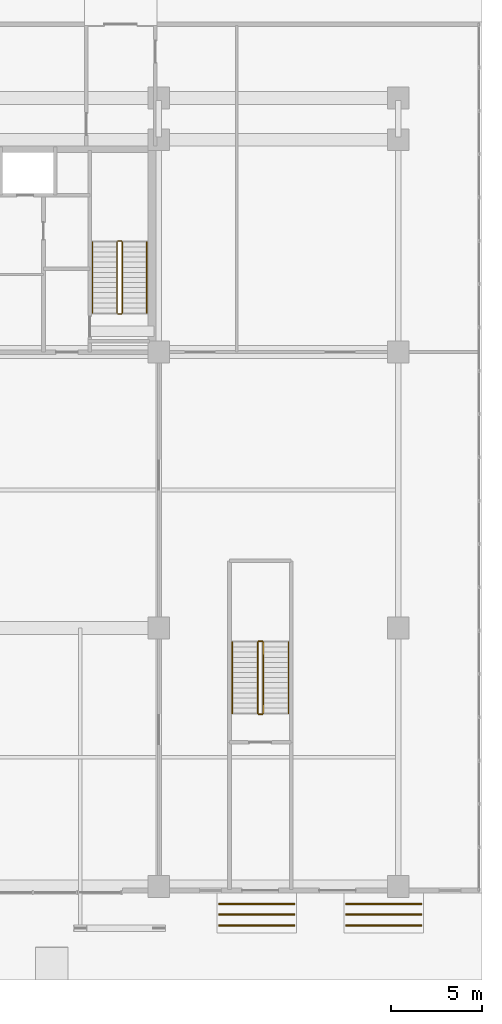
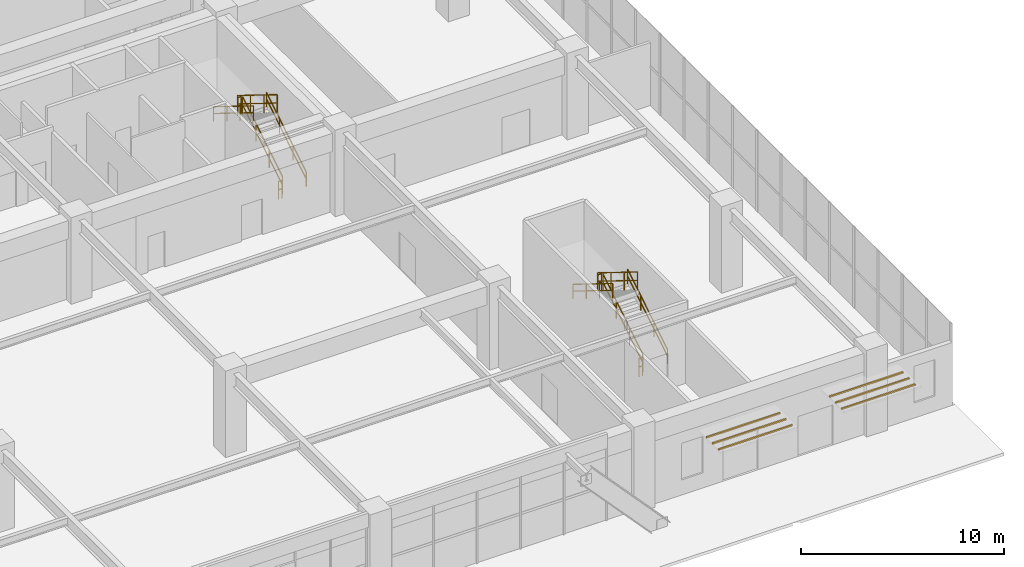
# One storey, part 39 of 40: 12 railings, 6 shading devices.
"""IFC4 building model written with IfcOpenShell, lengths in metres."""

from ifc_helpers import new_model, si_unit, direction, frame, origin, origin_2d, place, context, subcontext, project, spatial, rectangle, extrude, source, transform, mapped, material, layer, layer_set, type_object, element, save


model = new_model("IFC4")

# Units and contexts
model_context = context("Model", 3, precision=1e-05, world=origin(), true_north=direction((0.0, 1.0)))
body_context = subcontext(model_context, "Body", "Model", "MODEL_VIEW")
ifc_project = project(units=[si_unit("LENGTHUNIT", "METRE"), si_unit("AREAUNIT", "SQUARE_METRE"), si_unit("VOLUMEUNIT", "CUBIC_METRE"), si_unit("PLANEANGLEUNIT", "RADIAN"), si_unit("MASSUNIT", "GRAM", prefix="KILO")], contexts=[model_context])

# Site, building, storey
site_placement = place(None, origin())
site = spatial("IfcSite", under=ifc_project, at=site_placement, CompositionType="ELEMENT")
building_placement = place(site_placement, origin())
building = spatial("IfcBuilding", under=site, at=building_placement, Name="Trelvane Seafront Commons", CompositionType="ELEMENT")
storey_placement = place(building_placement, origin())
storey = spatial("IfcBuildingStorey", under=building, at=storey_placement, Name="L00", CompositionType="ELEMENT", Elevation=0.0)

# Railings
ifc_material_1 = material(Name="Stainless steel balustrade", Category="steel")
railing_type_1 = type_object("IfcRailingType", Name="ARCH-SRL-GUARD", PredefinedType="GUARDRAIL", material=ifc_material_1)
railing_1_placement = place(storey_placement, frame((56.800048828125, 35.550048828125, 0.17333984375)))
element("IfcRailing", 1, at=railing_1_placement, inside=storey, type_object=railing_type_1, Name="L00 ST-2 stair guard 1", PredefinedType="GUARDRAIL", context=body_context, shape_type="SweptSolid", body=[
    extrude(rectangle(XDim=0.048095703125, YDim=0.048095703125, at=origin_2d()), frame((0.0, 0.0, 1.076171875), z_axis=(0.0, 0.850251603719, 0.526376491091), x_axis=(-1.0, 0.0, 0.0)), (0.0, 0.0, 1.0), 4.6103515625),
    extrude(rectangle(XDim=0.048095703125, YDim=0.048095703125, at=origin_2d()), frame((0.0, 0.0, 0.572021484375), z_axis=(0.0, 0.850251603719, 0.526376491091), x_axis=(-1.0, 0.0, 0.0)), (0.0, 0.0, 1.0), 4.6103515625),
    extrude(rectangle(XDim=0.0419921875, YDim=0.0419921875, at=origin_2d()), origin(), (0.0, 0.0, 1.0), 1.076171875),
    extrude(rectangle(XDim=0.0419921875, YDim=0.0419921875, at=origin_2d()), frame((0.0, 1.306640625, 0.808837890625)), (0.0, 0.0, 1.0), 1.076171875),
    extrude(rectangle(XDim=0.0419921875, YDim=0.0419921875, at=origin_2d()), frame((0.0, 2.61328125, 1.617919921875)), (0.0, 0.0, 1.0), 1.076171875),
    extrude(rectangle(XDim=0.0419921875, YDim=0.0419921875, at=origin_2d()), frame((0.0, 3.919921875, 2.4267578125)), (0.0, 0.0, 1.0), 1.076171875),
])
railing_2_placement = place(storey_placement, frame((56.75, 39.52001953125, 2.60009765625)))
element("IfcRailing", 2, at=railing_2_placement, inside=storey, type_object=railing_type_1, Name="L00 ST-2 stair guard 2", PredefinedType="GUARDRAIL", context=body_context, shape_type="SweptSolid", body=[
    extrude(rectangle(XDim=0.048095703125, YDim=0.048095703125, at=origin_2d()), frame((0.0, 0.0, 1.076171875), z_axis=(-1.0, 0.0, 0.0), x_axis=(0.0, -1.0, 0.0)), (0.0, 0.0, 1.0), 0.199951171875),
    extrude(rectangle(XDim=0.048095703125, YDim=0.048095703125, at=origin_2d()), frame((0.0, 0.0, 0.572021484375), z_axis=(-1.0, 0.0, 0.0), x_axis=(0.0, -1.0, 0.0)), (0.0, 0.0, 1.0), 0.199951171875),
    extrude(rectangle(XDim=0.0419921875, YDim=0.0419921875, at=origin_2d()), origin(), (0.0, 0.0, 1.0), 1.076171875),
    extrude(rectangle(XDim=0.0419921875, YDim=0.0419921875, at=origin_2d()), frame((-0.199951171875, 0.0, 0.0)), (0.0, 0.0, 1.0), 1.076171875),
])
railing_3_placement = place(storey_placement, frame((56.5, 39.469970703125, 2.7734375)))
element("IfcRailing", 3, at=railing_3_placement, inside=storey, type_object=railing_type_1, Name="L00 ST-2 stair guard 3", PredefinedType="GUARDRAIL", context=body_context, shape_type="SweptSolid", body=[
    extrude(rectangle(XDim=0.048095703125, YDim=0.048095703125, at=origin_2d()), frame((0.0, 0.0, 1.076171875), z_axis=(0.0, -0.850275303828, 0.526338206574), x_axis=(1.0, 0.0, 0.0)), (0.0, 0.0, 1.0), 4.610107421875),
    extrude(rectangle(XDim=0.048095703125, YDim=0.048095703125, at=origin_2d()), frame((0.0, 0.0, 0.572021484375), z_axis=(0.0, -0.850275303828, 0.526338206574), x_axis=(1.0, 0.0, 0.0)), (0.0, 0.0, 1.0), 4.610107421875),
    extrude(rectangle(XDim=0.0419921875, YDim=0.0419921875, at=origin_2d()), origin(), (0.0, 0.0, 1.0), 1.076171875),
    extrude(rectangle(XDim=0.0419921875, YDim=0.0419921875, at=origin_2d()), frame((0.0, -1.306640625, 0.808837890625)), (0.0, 0.0, 1.0), 1.076171875),
    extrude(rectangle(XDim=0.0419921875, YDim=0.0419921875, at=origin_2d()), frame((0.0, -2.61328125, 1.61767578125)), (0.0, 0.0, 1.0), 1.076171875),
    extrude(rectangle(XDim=0.0419921875, YDim=0.0419921875, at=origin_2d()), frame((0.0, -3.919921875, 2.426513671875)), (0.0, 0.0, 1.0), 1.076171875),
])
railing_4_placement = place(storey_placement, frame((56.75, 35.5, 0.0)))
element("IfcRailing", 4, at=railing_4_placement, inside=storey, type_object=railing_type_1, Name="L00 ST-2 stair guard 4", PredefinedType="GUARDRAIL", context=body_context, shape_type="SweptSolid", body=[
    extrude(rectangle(XDim=0.048095703125, YDim=0.048095703125, at=origin_2d()), frame((0.0, 0.0, 1.076171875), z_axis=(-1.0, 0.0, 0.0), x_axis=(0.0, -1.0, 0.0)), (0.0, 0.0, 1.0), 0.199951171875),
    extrude(rectangle(XDim=0.048095703125, YDim=0.048095703125, at=origin_2d()), frame((0.0, 0.0, 0.572021484375), z_axis=(-1.0, 0.0, 0.0), x_axis=(0.0, -1.0, 0.0)), (0.0, 0.0, 1.0), 0.199951171875),
    extrude(rectangle(XDim=0.0419921875, YDim=0.0419921875, at=origin_2d()), origin(), (0.0, 0.0, 1.0), 1.076171875),
    extrude(rectangle(XDim=0.0419921875, YDim=0.0419921875, at=origin_2d()), frame((-0.199951171875, 0.0, 0.0)), (0.0, 0.0, 1.0), 1.076171875),
])
railing_5_placement = place(storey_placement, frame((64.550048828125, 13.5, 0.17333984375)))
element("IfcRailing", 5, at=railing_5_placement, inside=storey, type_object=railing_type_1, Name="L00 ST-4 stair guard 1", PredefinedType="GUARDRAIL", context=body_context, shape_type="SweptSolid", body=[
    extrude(rectangle(XDim=0.048095703125, YDim=0.048095703125, at=origin_2d()), frame((0.0, 0.0, 1.076171875), z_axis=(0.0, 0.850251603719, 0.526376491091), x_axis=(-1.0, 0.0, 0.0)), (0.0, 0.0, 1.0), 4.6103515625),
    extrude(rectangle(XDim=0.048095703125, YDim=0.048095703125, at=origin_2d()), frame((0.0, 0.0, 0.572021484375), z_axis=(0.0, 0.850251603719, 0.526376491091), x_axis=(-1.0, 0.0, 0.0)), (0.0, 0.0, 1.0), 4.6103515625),
    extrude(rectangle(XDim=0.0419921875, YDim=0.0419921875, at=origin_2d()), origin(), (0.0, 0.0, 1.0), 1.076171875),
    extrude(rectangle(XDim=0.0419921875, YDim=0.0419921875, at=origin_2d()), frame((0.0, 1.306640625, 0.808837890625)), (0.0, 0.0, 1.0), 1.076171875),
    extrude(rectangle(XDim=0.0419921875, YDim=0.0419921875, at=origin_2d()), frame((0.0, 2.61328125, 1.617919921875)), (0.0, 0.0, 1.0), 1.076171875),
    extrude(rectangle(XDim=0.0419921875, YDim=0.0419921875, at=origin_2d()), frame((0.0, 3.919921875, 2.4267578125)), (0.0, 0.0, 1.0), 1.076171875),
])
railing_6_placement = place(storey_placement, frame((64.5, 17.469970703125, 2.60009765625)))
element("IfcRailing", 6, at=railing_6_placement, inside=storey, type_object=railing_type_1, Name="L00 ST-4 stair guard 2", PredefinedType="GUARDRAIL", context=body_context, shape_type="SweptSolid", body=[
    extrude(rectangle(XDim=0.048095703125, YDim=0.048095703125, at=origin_2d()), frame((0.0, 0.0, 1.076171875), z_axis=(-1.0, 0.0, 0.0), x_axis=(0.0, -1.0, 0.0)), (0.0, 0.0, 1.0), 0.199951171875),
    extrude(rectangle(XDim=0.048095703125, YDim=0.048095703125, at=origin_2d()), frame((0.0, 0.0, 0.572021484375), z_axis=(-1.0, 0.0, 0.0), x_axis=(0.0, -1.0, 0.0)), (0.0, 0.0, 1.0), 0.199951171875),
    extrude(rectangle(XDim=0.0419921875, YDim=0.0419921875, at=origin_2d()), origin(), (0.0, 0.0, 1.0), 1.076171875),
    extrude(rectangle(XDim=0.0419921875, YDim=0.0419921875, at=origin_2d()), frame((-0.199951171875, 0.0, 0.0)), (0.0, 0.0, 1.0), 1.076171875),
])
railing_7_placement = place(storey_placement, frame((64.25, 17.419921875, 2.7734375)))
element("IfcRailing", 7, at=railing_7_placement, inside=storey, type_object=railing_type_1, Name="L00 ST-4 stair guard 3", PredefinedType="GUARDRAIL", context=body_context, shape_type="SweptSolid", body=[
    extrude(rectangle(XDim=0.048095703125, YDim=0.048095703125, at=origin_2d()), frame((0.0, 0.0, 1.076171875), z_axis=(0.0, -0.850275303828, 0.526338206574), x_axis=(1.0, 0.0, 0.0)), (0.0, 0.0, 1.0), 4.610107421875),
    extrude(rectangle(XDim=0.048095703125, YDim=0.048095703125, at=origin_2d()), frame((0.0, 0.0, 0.572021484375), z_axis=(0.0, -0.850275303828, 0.526338206574), x_axis=(1.0, 0.0, 0.0)), (0.0, 0.0, 1.0), 4.610107421875),
    extrude(rectangle(XDim=0.0419921875, YDim=0.0419921875, at=origin_2d()), origin(), (0.0, 0.0, 1.0), 1.076171875),
    extrude(rectangle(XDim=0.0419921875, YDim=0.0419921875, at=origin_2d()), frame((0.0, -1.306640625, 0.808837890625)), (0.0, 0.0, 1.0), 1.076171875),
    extrude(rectangle(XDim=0.0419921875, YDim=0.0419921875, at=origin_2d()), frame((0.0, -2.61328125, 1.61767578125)), (0.0, 0.0, 1.0), 1.076171875),
    extrude(rectangle(XDim=0.0419921875, YDim=0.0419921875, at=origin_2d()), frame((0.0, -3.919921875, 2.426513671875)), (0.0, 0.0, 1.0), 1.076171875),
])
railing_8_placement = place(storey_placement, frame((64.5, 13.449951171875, 0.0)))
element("IfcRailing", 8, at=railing_8_placement, inside=storey, type_object=railing_type_1, Name="L00 ST-4 stair guard 4", PredefinedType="GUARDRAIL", context=body_context, shape_type="SweptSolid", body=[
    extrude(rectangle(XDim=0.048095703125, YDim=0.048095703125, at=origin_2d()), frame((0.0, 0.0, 1.076171875), z_axis=(-1.0, 0.0, 0.0), x_axis=(0.0, -1.0, 0.0)), (0.0, 0.0, 1.0), 0.199951171875),
    extrude(rectangle(XDim=0.048095703125, YDim=0.048095703125, at=origin_2d()), frame((0.0, 0.0, 0.572021484375), z_axis=(-1.0, 0.0, 0.0), x_axis=(0.0, -1.0, 0.0)), (0.0, 0.0, 1.0), 0.199951171875),
    extrude(rectangle(XDim=0.0419921875, YDim=0.0419921875, at=origin_2d()), origin(), (0.0, 0.0, 1.0), 1.076171875),
    extrude(rectangle(XDim=0.0419921875, YDim=0.0419921875, at=origin_2d()), frame((-0.199951171875, 0.0, 0.0)), (0.0, 0.0, 1.0), 1.076171875),
])
railing_type_2 = type_object("IfcRailingType", Name="ARCH-SRL-HAND", PredefinedType="HANDRAIL", material=ifc_material_1)
railing_9_placement = place(storey_placement, frame((58.14990234375, 35.550048828125, 0.17333984375)))
element("IfcRailing", 9, at=railing_9_placement, inside=storey, type_object=railing_type_2, Name="L00 ST-2 stair handrail 1", PredefinedType="HANDRAIL", context=body_context, shape_type="SweptSolid", body=[
    extrude(rectangle(XDim=0.048095703125, YDim=0.048095703125, at=origin_2d()), frame((0.0, 0.0, 0.8759765625), z_axis=(0.0, 0.850251603719, 0.526376491091), x_axis=(-1.0, 0.0, 0.0)), (0.0, 0.0, 1.0), 4.6103515625),
    extrude(rectangle(XDim=0.048095703125, YDim=0.048095703125, at=origin_2d()), frame((0.0, 0.0, 0.468017578125), z_axis=(0.0, 0.850251603719, 0.526376491091), x_axis=(-1.0, 0.0, 0.0)), (0.0, 0.0, 1.0), 4.6103515625),
    extrude(rectangle(XDim=0.0419921875, YDim=0.0419921875, at=origin_2d()), origin(), (0.0, 0.0, 1.0), 0.8759765625),
    extrude(rectangle(XDim=0.0419921875, YDim=0.0419921875, at=origin_2d()), frame((0.0, 1.306640625, 0.808837890625)), (0.0, 0.0, 1.0), 0.8759765625),
    extrude(rectangle(XDim=0.0419921875, YDim=0.0419921875, at=origin_2d()), frame((0.0, 2.61328125, 1.617919921875)), (0.0, 0.0, 1.0), 0.8759765625),
    extrude(rectangle(XDim=0.0419921875, YDim=0.0419921875, at=origin_2d()), frame((0.0, 3.919921875, 2.4267578125)), (0.0, 0.0, 1.0), 0.8759765625),
])
railing_10_placement = place(storey_placement, frame((55.14990234375, 39.469970703125, 2.7734375)))
element("IfcRailing", 10, at=railing_10_placement, inside=storey, type_object=railing_type_2, Name="L00 ST-2 stair handrail 2", PredefinedType="HANDRAIL", context=body_context, shape_type="SweptSolid", body=[
    extrude(rectangle(XDim=0.048095703125, YDim=0.048095703125, at=origin_2d()), frame((0.0, 0.0, 0.8759765625), z_axis=(0.0, -0.850275303828, 0.526338206574), x_axis=(1.0, 0.0, 0.0)), (0.0, 0.0, 1.0), 4.610107421875),
    extrude(rectangle(XDim=0.048095703125, YDim=0.048095703125, at=origin_2d()), frame((0.0, 0.0, 0.468017578125), z_axis=(0.0, -0.850275303828, 0.526338206574), x_axis=(1.0, 0.0, 0.0)), (0.0, 0.0, 1.0), 4.610107421875),
    extrude(rectangle(XDim=0.0419921875, YDim=0.0419921875, at=origin_2d()), origin(), (0.0, 0.0, 1.0), 0.8759765625),
    extrude(rectangle(XDim=0.0419921875, YDim=0.0419921875, at=origin_2d()), frame((0.0, -1.306640625, 0.808837890625)), (0.0, 0.0, 1.0), 0.8759765625),
    extrude(rectangle(XDim=0.0419921875, YDim=0.0419921875, at=origin_2d()), frame((0.0, -2.61328125, 1.61767578125)), (0.0, 0.0, 1.0), 0.8759765625),
    extrude(rectangle(XDim=0.0419921875, YDim=0.0419921875, at=origin_2d()), frame((0.0, -3.919921875, 2.426513671875)), (0.0, 0.0, 1.0), 0.8759765625),
])
railing_11_placement = place(storey_placement, frame((65.949951171875, 13.5, 0.17333984375)))
element("IfcRailing", 11, at=railing_11_placement, inside=storey, type_object=railing_type_2, Name="L00 ST-4 stair handrail 1", PredefinedType="HANDRAIL", context=body_context, shape_type="SweptSolid", body=[
    extrude(rectangle(XDim=0.048095703125, YDim=0.048095703125, at=origin_2d()), frame((0.0, 0.0, 0.8759765625), z_axis=(0.0, 0.850251603719, 0.526376491091), x_axis=(-1.0, 0.0, 0.0)), (0.0, 0.0, 1.0), 4.6103515625),
    extrude(rectangle(XDim=0.048095703125, YDim=0.048095703125, at=origin_2d()), frame((0.0, 0.0, 0.468017578125), z_axis=(0.0, 0.850251603719, 0.526376491091), x_axis=(-1.0, 0.0, 0.0)), (0.0, 0.0, 1.0), 4.6103515625),
    extrude(rectangle(XDim=0.0419921875, YDim=0.0419921875, at=origin_2d()), origin(), (0.0, 0.0, 1.0), 0.8759765625),
    extrude(rectangle(XDim=0.0419921875, YDim=0.0419921875, at=origin_2d()), frame((0.0, 1.306640625, 0.808837890625)), (0.0, 0.0, 1.0), 0.8759765625),
    extrude(rectangle(XDim=0.0419921875, YDim=0.0419921875, at=origin_2d()), frame((0.0, 2.61328125, 1.617919921875)), (0.0, 0.0, 1.0), 0.8759765625),
    extrude(rectangle(XDim=0.0419921875, YDim=0.0419921875, at=origin_2d()), frame((0.0, 3.919921875, 2.4267578125)), (0.0, 0.0, 1.0), 0.8759765625),
])
railing_12_placement = place(storey_placement, frame((62.85009765625, 17.419921875, 2.7734375)))
element("IfcRailing", 12, at=railing_12_placement, inside=storey, type_object=railing_type_2, Name="L00 ST-4 stair handrail 2", PredefinedType="HANDRAIL", context=body_context, shape_type="SweptSolid", body=[
    extrude(rectangle(XDim=0.048095703125, YDim=0.048095703125, at=origin_2d()), frame((0.0, 0.0, 0.8759765625), z_axis=(0.0, -0.850275303828, 0.526338206574), x_axis=(1.0, 0.0, 0.0)), (0.0, 0.0, 1.0), 4.610107421875),
    extrude(rectangle(XDim=0.048095703125, YDim=0.048095703125, at=origin_2d()), frame((0.0, 0.0, 0.468017578125), z_axis=(0.0, -0.850275303828, 0.526338206574), x_axis=(1.0, 0.0, 0.0)), (0.0, 0.0, 1.0), 4.610107421875),
    extrude(rectangle(XDim=0.0419921875, YDim=0.0419921875, at=origin_2d()), origin(), (0.0, 0.0, 1.0), 0.8759765625),
    extrude(rectangle(XDim=0.0419921875, YDim=0.0419921875, at=origin_2d()), frame((0.0, -1.306640625, 0.808837890625)), (0.0, 0.0, 1.0), 0.8759765625),
    extrude(rectangle(XDim=0.0419921875, YDim=0.0419921875, at=origin_2d()), frame((0.0, -2.61328125, 1.61767578125)), (0.0, 0.0, 1.0), 0.8759765625),
    extrude(rectangle(XDim=0.0419921875, YDim=0.0419921875, at=origin_2d()), frame((0.0, -3.919921875, 2.426513671875)), (0.0, 0.0, 1.0), 0.8759765625),
])

# Shading devices
ifc_material_2 = material(Name="Anodised pale-silver aluminium", Category="aluminium")
ifc_layer = layer(ifc_material_2, 0.080078125, Name="ARCH-SHADE-LOUVRE")
ifc_layer_set = layer_set([ifc_layer], Name="Anodised pale-silver aluminium")
shading_device_type = type_object("IfcShadingDeviceType", Name="ARCH-SHADE-LOUVRE", PredefinedType="JALOUSIE", material=ifc_layer_set)
shared_shape = source(origin(), body_context, "Body", "SweptSolid", [
    extrude(rectangle(XDim=4.199951171875, YDim=0.080078125, at=origin_2d()), origin(), (0.0, 0.0, 1.0), 0.080078125),
])
for number, where, z_axis, x_axis, name in (
    (13, (64.199951171875, 1.800048828125, 3.419921875), (0.0, 0.0, 1.0), (1.0, 0.0, 0.0), "SHD-L00-CAN-3-1"),
    (14, (64.199951171875, 2.39990234375, 3.419921875), (0.0, 0.0, 1.0), (1.0, 0.0, 0.0), "SHD-L00-CAN-3-2"),
    (15, (64.199951171875, 3.0, 3.419921875), (0.0, 0.0, 1.0), (1.0, 0.0, 0.0), "SHD-L00-CAN-3-3"),
    (16, (71.199951171875, 1.800048828125, 3.419921875), (0.0, 0.0, 1.0), (1.0, 0.0, 0.0), "SHD-L00-CAN-4-1"),
    (17, (71.199951171875, 2.39990234375, 3.419921875), (0.0, 0.0, 1.0), (1.0, 0.0, 0.0), "SHD-L00-CAN-4-2"),
    (18, (71.199951171875, 3.0, 3.419921875), (0.0, 0.0, 1.0), (1.0, 0.0, 0.0), "SHD-L00-CAN-4-3"),
):
    element("IfcShadingDevice", number, at=place(storey_placement, frame(where, z_axis=z_axis, x_axis=x_axis)), inside=storey, type_object=shading_device_type, Name=name, PredefinedType="JALOUSIE", context=body_context, shape_type="MappedRepresentation", body=[
        mapped(shared_shape, transform((0.0, 0.0, 0.0), x_axis=(1.0, 0.0, 0.0), y_axis=(0.0, 1.0, 0.0), z_axis=(0.0, 0.0, 1.0), scale=1.0)),
    ])

save(model, "model.ifc")
